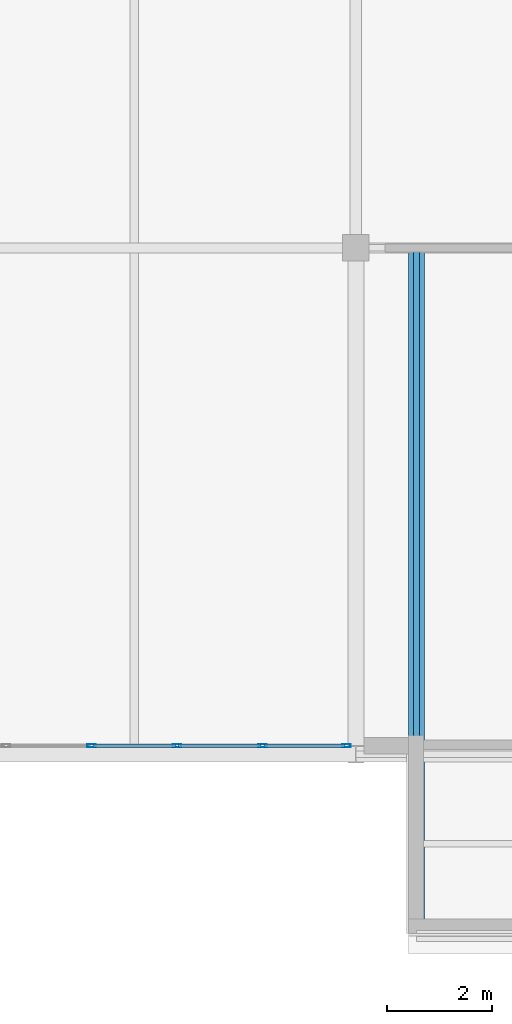
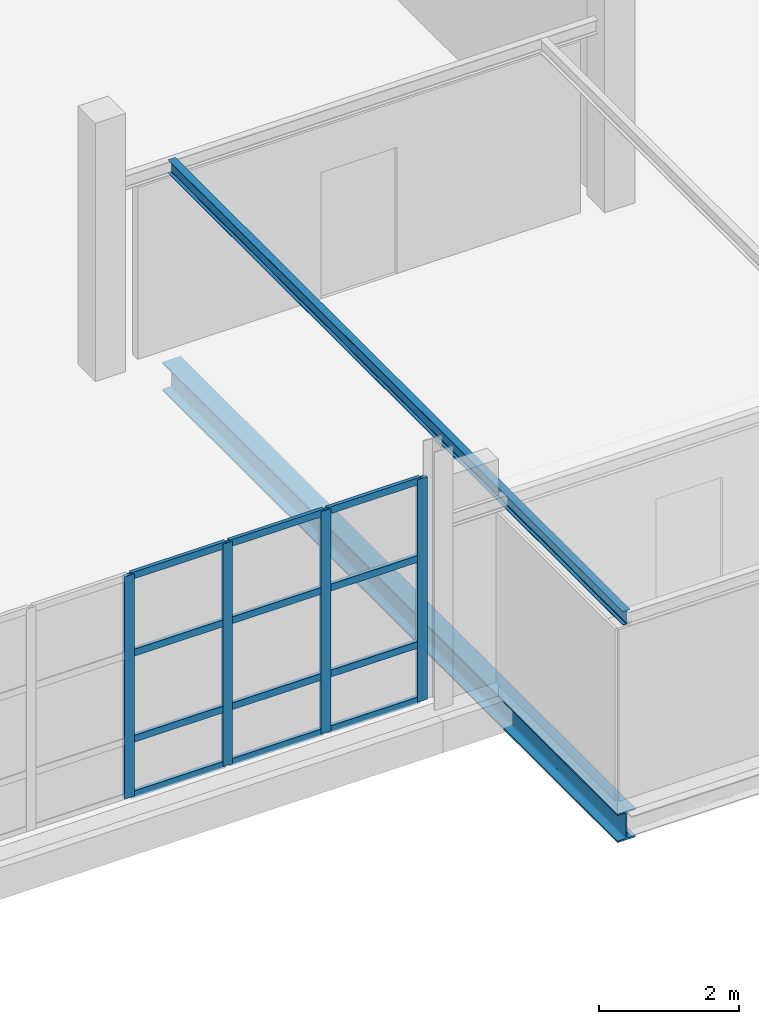
# One storey, part 46 of 103: 16 members, 2 beams, 1 element without a shape of its own.
"""IFC4 building model written with IfcOpenShell, lengths in metres."""

from ifc_helpers import new_model, si_unit, direction, frame, origin, origin_2d, place, context, subcontext, project, spatial, hollow_rectangle, i_section, extrude, material, material_profile, profile_set, type_object, element, aggregate, save


model = new_model("IFC4")

# Units and contexts
model_context = context("Model", 3, precision=1e-05, world=origin(), true_north=direction((0.0, 1.0)))
body_context = subcontext(model_context, "Body", "Model", "MODEL_VIEW")
ifc_project = project(units=[si_unit("LENGTHUNIT", "METRE"), si_unit("AREAUNIT", "SQUARE_METRE"), si_unit("VOLUMEUNIT", "CUBIC_METRE"), si_unit("PLANEANGLEUNIT", "RADIAN"), si_unit("MASSUNIT", "GRAM", prefix="KILO")], contexts=[model_context])

# Site, building, storey
site_placement = place(None, origin())
site = spatial("IfcSite", under=ifc_project, at=site_placement, CompositionType="ELEMENT")
building_placement = place(site_placement, origin())
building = spatial("IfcBuilding", under=site, at=building_placement, Name="Veltarok Museum of Natural Sciences", CompositionType="ELEMENT")
storey_placement = place(building_placement, frame((0.0, 0.0, 21.89990234375)))
storey = spatial("IfcBuildingStorey", under=building, at=storey_placement, Name="L04", CompositionType="ELEMENT", Elevation=21.89990234375)

# Beams
ifc_material_1 = material(Name="Steel S355J2", Category="steel")
ifc_material_profile_1 = material_profile(ifc_material_1, i_section(OverallWidth=0.300048828125, OverallDepth=0.5, WebThickness=0.014404296875, FlangeThickness=0.028076171875, FilletRadius=0.027099609375, at=origin_2d()), Name="HEB 500")
ifc_profile_set_1 = profile_set([ifc_material_profile_1], Name="Steel S355J2")
beam_type_1 = type_object("IfcBeamType", Name="Cabinet Box Cantilever Girder HEB 500", PredefinedType="BEAM", material=ifc_profile_set_1)
beam_1_placement = place(storey_placement, frame((125.14990234375, -3.39990234375, -0.5), z_axis=(0.0, 1.0, 0.0), x_axis=(-1.0, 0.0, 0.0)))
element("IfcBeam", 1, at=beam_1_placement, inside=storey, type_object=beam_type_1, Name="Cabinet Cantilever Girder DB-24-1", PredefinedType="BEAM", context=body_context, shape_type="SweptSolid", body=[
    extrude(i_section(OverallWidth=0.300048828125, OverallDepth=0.5, WebThickness=0.014404296875, FlangeThickness=0.028076171875, FilletRadius=0.027099609375, at=origin_2d()), origin(), (0.0, 0.0, 1.0), 13.0),
])
ifc_material_profile_2 = material_profile(ifc_material_1, i_section(OverallWidth=0.1201171875, OverallDepth=0.239990234375, WebThickness=0.006103515625, FlangeThickness=0.009765625, FilletRadius=0.014892578125, at=origin_2d()), Name="IPE 240")
ifc_profile_set_2 = profile_set([ifc_material_profile_2], Name="Steel S355J2")
beam_type_2 = type_object("IfcBeamType", Name="Cabinet Box Secondary Joist IPE 240", PredefinedType="JOIST", material=ifc_profile_set_2)
beam_2_placement = place(storey_placement, frame((125.14990234375, -3.39990234375, 3.130126953125), z_axis=(0.0, 1.0, 0.0), x_axis=(-1.0, 0.0, 0.0)))
element("IfcBeam", 2, at=beam_2_placement, inside=storey, type_object=beam_type_2, Name="Cabinet Roof Rafter DB-24-1", PredefinedType="JOIST", context=body_context, shape_type="SweptSolid", body=[
    extrude(i_section(OverallWidth=0.1201171875, OverallDepth=0.239990234375, WebThickness=0.006103515625, FlangeThickness=0.009765625, FilletRadius=0.014892578125, at=origin_2d()), origin(), (0.0, 0.0, 1.0), 13.0),
])

# Curtain wall, members
ifc_material_2 = material(Name="Low-iron triple insulated glass", Category="glass")
curtain_wall_type = type_object("IfcCurtainWallType", Name="Curtain Wall System CW-V5S-L04-14-810x388 (V5 South Lab Curtain Wall L04 14-15 810x388cm)", PredefinedType="NOTDEFINED", material=ifc_material_2)
curtain_wall_placement = place(storey_placement, origin())
curtain_wall = element("IfcCurtainWall", 3, at=curtain_wall_placement, inside=storey, type_object=curtain_wall_type, Name="Curtain Wall CW-V5S-L04-14-810x388 CW-0096", PredefinedType="NOTDEFINED")
ifc_material_3 = material(Name="Thermally broken anodised aluminium", Category="aluminium")
ifc_material_profile_3 = material_profile(ifc_material_3, hollow_rectangle(XDim=0.06005859375, YDim=0.1201171875, WallThickness=0.0048828125, at=origin_2d()), Name="CW TRANSOM 60x120x5")
ifc_profile_set_3 = profile_set([ifc_material_profile_3], Name="Thermally broken anodised aluminium")
member_type_1 = type_object("IfcMemberType", Name="Curtain Wall Horizontal Transom 60x120x5", PredefinedType="USERDEFINED", material=ifc_profile_set_3)
member_1_placement = place(storey_placement, frame((119.02001953125, 0.159912109375, 0.030029296875), z_axis=(1.0, 0.0, 0.0), x_axis=(0.0, 1.0, 0.0)))
member_1 = element("IfcMember", 4, at=member_1_placement, type_object=member_type_1, Name="CW-V5S-L04-14-810x388 transom 3.1", ObjectType="TRANSOM", PredefinedType="USERDEFINED", context=body_context, shape_type="SweptSolid", body=[
    extrude(hollow_rectangle(XDim=0.06005859375, YDim=0.1201171875, WallThickness=0.0048828125, at=origin_2d()), origin(), (0.0, 0.0, 1.0), 1.56005859375),
])
member_2_placement = place(storey_placement, frame((119.02001953125, 0.159912109375, 1.0), z_axis=(1.0, 0.0, 0.0), x_axis=(0.0, 1.0, 0.0)))
member_2 = element("IfcMember", 5, at=member_2_placement, type_object=member_type_1, Name="CW-V5S-L04-14-810x388 transom 3.2", ObjectType="TRANSOM", PredefinedType="USERDEFINED", context=body_context, shape_type="SweptSolid", body=[
    extrude(hollow_rectangle(XDim=0.06005859375, YDim=0.1201171875, WallThickness=0.0048828125, at=origin_2d()), origin(), (0.0, 0.0, 1.0), 1.56005859375),
])
member_3_placement = place(storey_placement, frame((119.02001953125, 0.159912109375, 2.5), z_axis=(1.0, 0.0, 0.0), x_axis=(0.0, 1.0, 0.0)))
member_3 = element("IfcMember", 6, at=member_3_placement, type_object=member_type_1, Name="CW-V5S-L04-14-810x388 transom 3.3", ObjectType="TRANSOM", PredefinedType="USERDEFINED", context=body_context, shape_type="SweptSolid", body=[
    extrude(hollow_rectangle(XDim=0.06005859375, YDim=0.1201171875, WallThickness=0.0048828125, at=origin_2d()), origin(), (0.0, 0.0, 1.0), 1.56005859375),
])
member_4_placement = place(storey_placement, frame((119.02001953125, 0.159912109375, 3.85009765625), z_axis=(1.0, 0.0, 0.0), x_axis=(0.0, 1.0, 0.0)))
member_4 = element("IfcMember", 7, at=member_4_placement, type_object=member_type_1, Name="CW-V5S-L04-14-810x388 transom 3.4", ObjectType="TRANSOM", PredefinedType="USERDEFINED", context=body_context, shape_type="SweptSolid", body=[
    extrude(hollow_rectangle(XDim=0.06005859375, YDim=0.1201171875, WallThickness=0.0048828125, at=origin_2d()), origin(), (0.0, 0.0, 1.0), 1.56005859375),
])
member_5_placement = place(storey_placement, frame((120.639892578125, 0.159912109375, 0.030029296875), z_axis=(1.0, 0.0, 0.0), x_axis=(0.0, 1.0, 0.0)))
member_5 = element("IfcMember", 8, at=member_5_placement, type_object=member_type_1, Name="CW-V5S-L04-14-810x388 transom 4.1", ObjectType="TRANSOM", PredefinedType="USERDEFINED", context=body_context, shape_type="SweptSolid", body=[
    extrude(hollow_rectangle(XDim=0.06005859375, YDim=0.1201171875, WallThickness=0.0048828125, at=origin_2d()), origin(), (0.0, 0.0, 1.0), 1.56005859375),
])
member_6_placement = place(storey_placement, frame((120.639892578125, 0.159912109375, 1.0), z_axis=(1.0, 0.0, 0.0), x_axis=(0.0, 1.0, 0.0)))
member_6 = element("IfcMember", 9, at=member_6_placement, type_object=member_type_1, Name="CW-V5S-L04-14-810x388 transom 4.2", ObjectType="TRANSOM", PredefinedType="USERDEFINED", context=body_context, shape_type="SweptSolid", body=[
    extrude(hollow_rectangle(XDim=0.06005859375, YDim=0.1201171875, WallThickness=0.0048828125, at=origin_2d()), origin(), (0.0, 0.0, 1.0), 1.56005859375),
])
member_7_placement = place(storey_placement, frame((120.639892578125, 0.159912109375, 2.5), z_axis=(1.0, 0.0, 0.0), x_axis=(0.0, 1.0, 0.0)))
member_7 = element("IfcMember", 10, at=member_7_placement, type_object=member_type_1, Name="CW-V5S-L04-14-810x388 transom 4.3", ObjectType="TRANSOM", PredefinedType="USERDEFINED", context=body_context, shape_type="SweptSolid", body=[
    extrude(hollow_rectangle(XDim=0.06005859375, YDim=0.1201171875, WallThickness=0.0048828125, at=origin_2d()), origin(), (0.0, 0.0, 1.0), 1.56005859375),
])
member_8_placement = place(storey_placement, frame((120.639892578125, 0.159912109375, 3.85009765625), z_axis=(1.0, 0.0, 0.0), x_axis=(0.0, 1.0, 0.0)))
member_8 = element("IfcMember", 11, at=member_8_placement, type_object=member_type_1, Name="CW-V5S-L04-14-810x388 transom 4.4", ObjectType="TRANSOM", PredefinedType="USERDEFINED", context=body_context, shape_type="SweptSolid", body=[
    extrude(hollow_rectangle(XDim=0.06005859375, YDim=0.1201171875, WallThickness=0.0048828125, at=origin_2d()), origin(), (0.0, 0.0, 1.0), 1.56005859375),
])
member_9_placement = place(storey_placement, frame((122.260009765625, 0.159912109375, 0.030029296875), z_axis=(1.0, 0.0, 0.0), x_axis=(0.0, 1.0, 0.0)))
member_9 = element("IfcMember", 12, at=member_9_placement, type_object=member_type_1, Name="CW-V5S-L04-14-810x388 transom 5.1", ObjectType="TRANSOM", PredefinedType="USERDEFINED", context=body_context, shape_type="SweptSolid", body=[
    extrude(hollow_rectangle(XDim=0.06005859375, YDim=0.1201171875, WallThickness=0.0048828125, at=origin_2d()), origin(), (0.0, 0.0, 1.0), 1.530029296875),
])
member_10_placement = place(storey_placement, frame((122.260009765625, 0.159912109375, 1.0), z_axis=(1.0, 0.0, 0.0), x_axis=(0.0, 1.0, 0.0)))
member_10 = element("IfcMember", 13, at=member_10_placement, type_object=member_type_1, Name="CW-V5S-L04-14-810x388 transom 5.2", ObjectType="TRANSOM", PredefinedType="USERDEFINED", context=body_context, shape_type="SweptSolid", body=[
    extrude(hollow_rectangle(XDim=0.06005859375, YDim=0.1201171875, WallThickness=0.0048828125, at=origin_2d()), origin(), (0.0, 0.0, 1.0), 1.530029296875),
])
member_11_placement = place(storey_placement, frame((122.260009765625, 0.159912109375, 2.5), z_axis=(1.0, 0.0, 0.0), x_axis=(0.0, 1.0, 0.0)))
member_11 = element("IfcMember", 14, at=member_11_placement, type_object=member_type_1, Name="CW-V5S-L04-14-810x388 transom 5.3", ObjectType="TRANSOM", PredefinedType="USERDEFINED", context=body_context, shape_type="SweptSolid", body=[
    extrude(hollow_rectangle(XDim=0.06005859375, YDim=0.1201171875, WallThickness=0.0048828125, at=origin_2d()), origin(), (0.0, 0.0, 1.0), 1.530029296875),
])
member_12_placement = place(storey_placement, frame((122.260009765625, 0.159912109375, 3.85009765625), z_axis=(1.0, 0.0, 0.0), x_axis=(0.0, 1.0, 0.0)))
member_12 = element("IfcMember", 15, at=member_12_placement, type_object=member_type_1, Name="CW-V5S-L04-14-810x388 transom 5.4", ObjectType="TRANSOM", PredefinedType="USERDEFINED", context=body_context, shape_type="SweptSolid", body=[
    extrude(hollow_rectangle(XDim=0.06005859375, YDim=0.1201171875, WallThickness=0.0048828125, at=origin_2d()), origin(), (0.0, 0.0, 1.0), 1.530029296875),
])
ifc_material_profile_4 = material_profile(ifc_material_3, hollow_rectangle(XDim=0.06005859375, YDim=0.159912109375, WallThickness=0.0048828125, at=origin_2d()), Name="CW MULLION 60x160x5")
ifc_profile_set_4 = profile_set([ifc_material_profile_4], Name="Thermally broken anodised aluminium")
member_type_2 = type_object("IfcMemberType", Name="Curtain Wall Vertical Mullion 60x160x5", PredefinedType="MULLION", material=ifc_profile_set_4)
member_13_placement = place(storey_placement, frame((118.989990234375, 0.159912109375, 0.0), z_axis=(0.0, 0.0, 1.0), x_axis=(0.0, 1.0, 0.0)))
member_13 = element("IfcMember", 16, at=member_13_placement, type_object=member_type_2, Name="CW-V5S-L04-14-810x388 mullion 3", PredefinedType="MULLION", context=body_context, shape_type="SweptSolid", body=[
    extrude(hollow_rectangle(XDim=0.06005859375, YDim=0.159912109375, WallThickness=0.0048828125, at=origin_2d()), origin(), (0.0, 0.0, 1.0), 3.880126953125),
])
member_14_placement = place(storey_placement, frame((120.610107421875, 0.159912109375, 0.0), z_axis=(0.0, 0.0, 1.0), x_axis=(0.0, 1.0, 0.0)))
member_14 = element("IfcMember", 17, at=member_14_placement, type_object=member_type_2, Name="CW-V5S-L04-14-810x388 mullion 4", PredefinedType="MULLION", context=body_context, shape_type="SweptSolid", body=[
    extrude(hollow_rectangle(XDim=0.06005859375, YDim=0.159912109375, WallThickness=0.0048828125, at=origin_2d()), origin(), (0.0, 0.0, 1.0), 3.880126953125),
])
member_15_placement = place(storey_placement, frame((122.22998046875, 0.159912109375, 0.0), z_axis=(0.0, 0.0, 1.0), x_axis=(0.0, 1.0, 0.0)))
member_15 = element("IfcMember", 18, at=member_15_placement, type_object=member_type_2, Name="CW-V5S-L04-14-810x388 mullion 5", PredefinedType="MULLION", context=body_context, shape_type="SweptSolid", body=[
    extrude(hollow_rectangle(XDim=0.06005859375, YDim=0.159912109375, WallThickness=0.0048828125, at=origin_2d()), origin(), (0.0, 0.0, 1.0), 3.880126953125),
])
member_16_placement = place(storey_placement, frame((123.820068359375, 0.159912109375, 0.0), z_axis=(0.0, 0.0, 1.0), x_axis=(0.0, 1.0, 0.0)))
member_16 = element("IfcMember", 19, at=member_16_placement, type_object=member_type_2, Name="CW-V5S-L04-14-810x388 mullion 6", PredefinedType="MULLION", context=body_context, shape_type="SweptSolid", body=[
    extrude(hollow_rectangle(XDim=0.06005859375, YDim=0.159912109375, WallThickness=0.0048828125, at=origin_2d()), origin(), (0.0, 0.0, 1.0), 3.880126953125),
])
aggregate(curtain_wall, [member_13, member_14, member_15, member_16, member_1, member_2, member_3, member_4, member_5, member_6, member_7, member_8, member_9, member_10, member_11, member_12])

save(model, "model.ifc")
